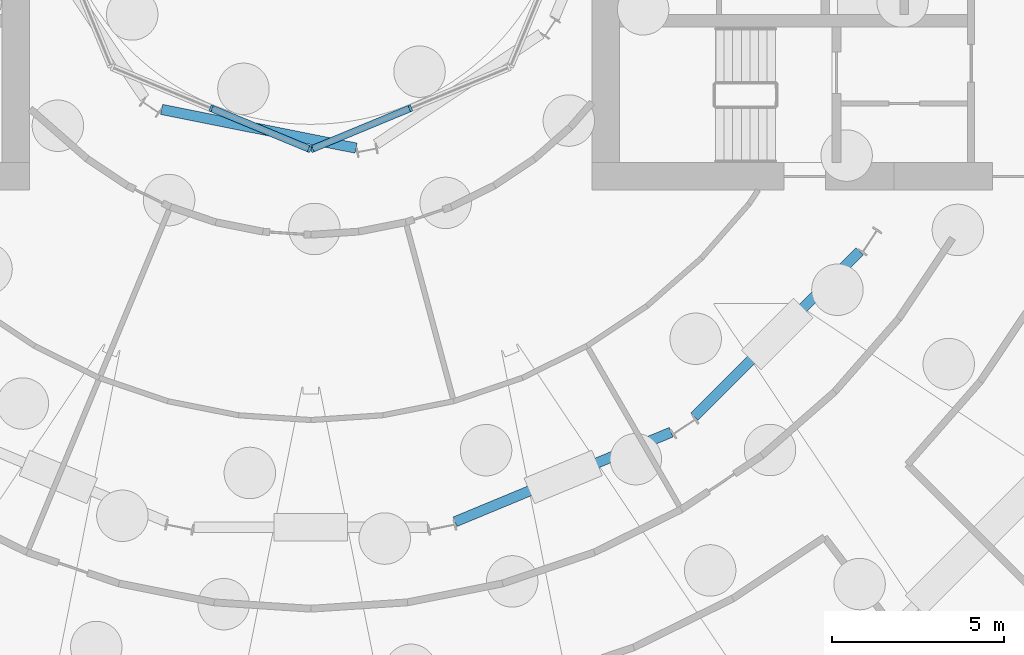
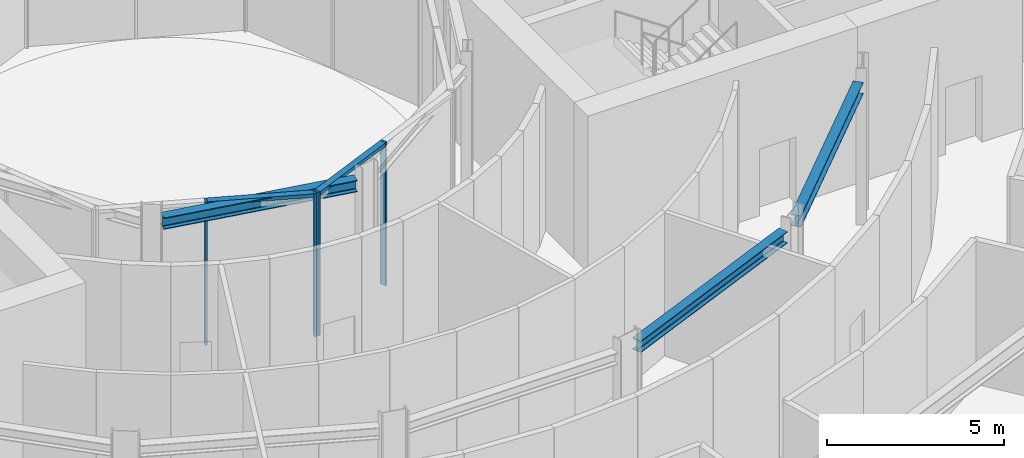
# One storey, part 12 of 41: 6 members, 3 beams, 2 elements without a shape of their own.
"""IFC4 building model written with IfcOpenShell, lengths in metres."""

from ifc_helpers import new_model, si_unit, direction, frame, origin, origin_2d, place, context, subcontext, project, spatial, rectangle, i_section, extrude, material, layer, layer_set, material_profile, profile_set, type_object, element, aggregate, save


model = new_model("IFC4")

# Units and contexts
model_context = context("Model", 3, precision=1e-05, world=origin(), true_north=direction((0.0, 1.0)))
body_context = subcontext(model_context, "Body", "Model", "MODEL_VIEW")
ifc_project = project(units=[si_unit("LENGTHUNIT", "METRE"), si_unit("AREAUNIT", "SQUARE_METRE"), si_unit("VOLUMEUNIT", "CUBIC_METRE"), si_unit("PLANEANGLEUNIT", "RADIAN"), si_unit("MASSUNIT", "GRAM", prefix="KILO")], contexts=[model_context])

# Site, building, storey
site_placement = place(None, origin())
site = spatial("IfcSite", under=ifc_project, at=site_placement, CompositionType="ELEMENT")
building_placement = place(site_placement, origin())
building = spatial("IfcBuilding", under=site, at=building_placement, Name="Maasbend Ring Residences", CompositionType="ELEMENT")
storey_placement = place(building_placement, origin())
storey = spatial("IfcBuildingStorey", under=building, at=storey_placement, Name="L00", CompositionType="ELEMENT", Elevation=0.0)

# Curtain wall, members
ifc_material_1 = material(Name="Aluminium and clear glass", Category="aluminium")
ifc_layer = layer(ifc_material_1, 0.199951171875)
ifc_layer_set = layer_set([ifc_layer], Name="CW-LR")
curtain_wall_type = type_object("IfcCurtainWallType", Name="CW-LR", PredefinedType="NOTDEFINED", material=ifc_layer_set)
curtain_wall_1_placement = place(storey_placement, origin())
curtain_wall_1 = element("IfcCurtainWall", 1, at=curtain_wall_1_placement, inside=storey, type_object=curtain_wall_type, Name="Lobby ring curtain wall 06", PredefinedType="NOTDEFINED")
ifc_material_2 = material(Name="Aluminium 6063-T6", Category="aluminium")
ifc_material_profile_1 = material_profile(ifc_material_2, rectangle(XDim=0.199951171875, YDim=0.070068359375, at=origin_2d()), Name="AL 200x70")
ifc_profile_set_1 = profile_set([ifc_material_profile_1], Name="Aluminium 6063-T6")
member_type_1 = type_object("IfcMemberType", Name="CWM-LR", PredefinedType="MULLION", material=ifc_profile_set_1)
member_1_placement = place(storey_placement, frame((-2.904541015625, -7.01220703125, 0.0), z_axis=(0.0, 0.0, 1.0), x_axis=(0.382683432365, 0.923879532511, 0.0)))
member_1 = element("IfcMember", 2, at=member_1_placement, type_object=member_type_1, Name="Mullion podium lobby ring", PredefinedType="MULLION", context=body_context, shape_type="SweptSolid", body=[
    extrude(rectangle(XDim=0.199951171875, YDim=0.070068359375, at=origin_2d()), origin(), (0.0, 0.0, 1.0), 4.949951171875),
])
member_2_placement = place(storey_placement, frame((-0.0322265625, -8.201904296875, 0.0), z_axis=(0.0, 0.0, 1.0), x_axis=(0.382683432365, 0.923879532511, 0.0)))
member_2 = element("IfcMember", 3, at=member_2_placement, type_object=member_type_1, Name="Mullion podium lobby ring", PredefinedType="MULLION", context=body_context, shape_type="SweptSolid", body=[
    extrude(rectangle(XDim=0.199951171875, YDim=0.070068359375, at=origin_2d()), origin(), (0.0, 0.0, 1.0), 4.949951171875),
])

curtain_wall_2_placement = place(storey_placement, origin())
curtain_wall_2 = element("IfcCurtainWall", 4, at=curtain_wall_2_placement, inside=storey, type_object=curtain_wall_type, Name="Lobby ring curtain wall 07", PredefinedType="NOTDEFINED")
member_3_placement = place(storey_placement, frame((0.0322265625, -8.201904296875, 0.0), z_axis=(0.0, 0.0, 1.0), x_axis=(-0.382683432365, 0.923879532511, 0.0)))
member_3 = element("IfcMember", 5, at=member_3_placement, type_object=member_type_1, Name="Mullion podium lobby ring", PredefinedType="MULLION", context=body_context, shape_type="SweptSolid", body=[
    extrude(rectangle(XDim=0.199951171875, YDim=0.070068359375, at=origin_2d()), origin(), (0.0, 0.0, 1.0), 4.949951171875),
])
member_4_placement = place(storey_placement, frame((2.904541015625, -7.01220703125, 0.0), z_axis=(0.0, 0.0, 1.0), x_axis=(-0.382683432365, 0.923879532511, 0.0)))
member_4 = element("IfcMember", 6, at=member_4_placement, type_object=member_type_1, Name="Mullion podium lobby ring", PredefinedType="MULLION", context=body_context, shape_type="SweptSolid", body=[
    extrude(rectangle(XDim=0.199951171875, YDim=0.070068359375, at=origin_2d()), origin(), (0.0, 0.0, 1.0), 4.949951171875),
])

# Member
ifc_material_3 = material(Name="Aluminium 6063-T6", Category="aluminium")
ifc_material_profile_2 = material_profile(ifc_material_3, rectangle(XDim=0.199951171875, YDim=0.1201171875, at=origin_2d()), Name="AL 200x120")
ifc_profile_set_2 = profile_set([ifc_material_profile_2], Name="Aluminium 6063-T6")
member_type_2 = type_object("IfcMemberType", Name="CWT-LR", PredefinedType="USERDEFINED", material=ifc_profile_set_2)
member_5_placement = place(storey_placement, frame((-2.872314453125, -7.025634765625, 4.889892578125), z_axis=(0.92389248325, -0.382652165019, 0.0), x_axis=(0.382652165019, 0.92389248325, 0.0)))
member_5 = element("IfcMember", 7, at=member_5_placement, type_object=member_type_2, Name="Transom podium lobby ring", ObjectType="TRANSOM", PredefinedType="USERDEFINED", context=body_context, shape_type="SweptSolid", body=[
    extrude(rectangle(XDim=0.199951171875, YDim=0.1201171875, at=origin_2d()), origin(), (0.0, 0.0, 1.0), 3.038818359375),
])

aggregate(curtain_wall_1, [member_1, member_2, member_5])

member_6_placement = place(storey_placement, frame((0.064697265625, -8.1884765625, 4.889892578125), z_axis=(0.92389248325, 0.382652165019, 0.0), x_axis=(-0.382652165019, 0.92389248325, 0.0)))
member_6 = element("IfcMember", 8, at=member_6_placement, type_object=member_type_2, Name="Transom podium lobby ring", ObjectType="TRANSOM", PredefinedType="USERDEFINED", context=body_context, shape_type="SweptSolid", body=[
    extrude(rectangle(XDim=0.199951171875, YDim=0.1201171875, at=origin_2d()), origin(), (0.0, 0.0, 1.0), 3.038818359375),
])

aggregate(curtain_wall_2, [member_3, member_4, member_6])

# Beams
ifc_material_4 = material(Name="Steel S355J2", Category="steel")
ifc_material_profile_3 = material_profile(ifc_material_4, i_section(OverallWidth=0.300048828125, OverallDepth=0.39990234375, WebThickness=0.013427734375, FlangeThickness=0.02392578125, FilletRadius=0.027099609375, at=origin_2d()), Name="HEB 400")
ifc_profile_set_3 = profile_set([ifc_material_profile_3], Name="Steel S355J2")
beam_type_1 = type_object("IfcBeamType", Name="Corridor ring beam HEB 400", PredefinedType="BEAM", material=ifc_profile_set_3)
for number, where, z_axis, x_axis, name in (
    (9, (4.207275390625, -19.064697265625, 4.75), (0.92387061516, 0.382704960046, 0.0), (-0.382704960046, 0.92387061516, 0.0), "Corridor ring beam"),
    (10, (11.1826171875, -16.00341796875, 4.75), (0.707106781187, 0.707106781187, 0.0), (-0.707106781187, 0.707106781187, 0.0), "Corridor ring beam"),
):
    element("IfcBeam", number, at=place(storey_placement, frame(where, z_axis=z_axis, x_axis=x_axis)), inside=storey, type_object=beam_type_1, Name=name, PredefinedType="BEAM", context=body_context, shape_type="SweptSolid", body=[
        extrude(i_section(OverallWidth=0.300048828125, OverallDepth=0.39990234375, WebThickness=0.013427734375, FlangeThickness=0.02392578125, FilletRadius=0.027099609375, at=origin_2d()), origin(), (0.0, 0.0, 1.0), 6.817626953125),
    ])
ifc_material_5 = material(Name="Steel S355J2", Category="steel")
ifc_material_profile_4 = material_profile(ifc_material_5, i_section(OverallWidth=0.300048828125, OverallDepth=0.39990234375, WebThickness=0.013427734375, FlangeThickness=0.02392578125, FilletRadius=0.027099609375, at=origin_2d()), Name="HEB 400")
ifc_profile_set_4 = profile_set([ifc_material_profile_4], Name="Steel S355J2")
beam_type_2 = type_object("IfcBeamType", Name="Well edge beam HEB 400", PredefinedType="BEAM", material=ifc_profile_set_4)
beam_placement = place(storey_placement, frame((-4.348388671875, -7.047607421875, 4.75), z_axis=(0.980781612923, -0.195108758779, 0.0), x_axis=(0.195108758779, 0.980781612923, 0.0)))
element("IfcBeam", 11, at=beam_placement, inside=storey, type_object=beam_type_2, Name="Well edge beam", PredefinedType="BEAM", context=body_context, shape_type="SweptSolid", body=[
    extrude(i_section(OverallWidth=0.300048828125, OverallDepth=0.39990234375, WebThickness=0.013427734375, FlangeThickness=0.02392578125, FilletRadius=0.027099609375, at=origin_2d()), origin(), (0.0, 0.0, 1.0), 5.77978515625),
])

save(model, "model.ifc")
